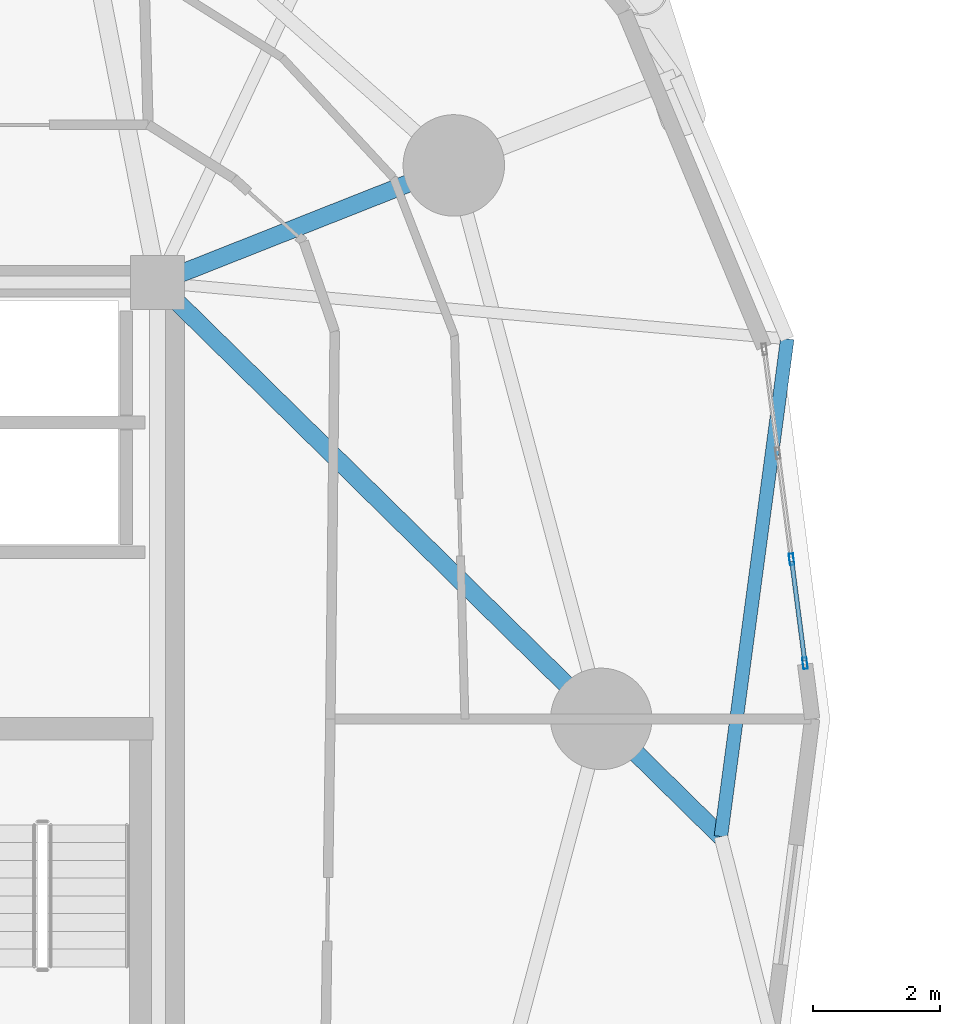
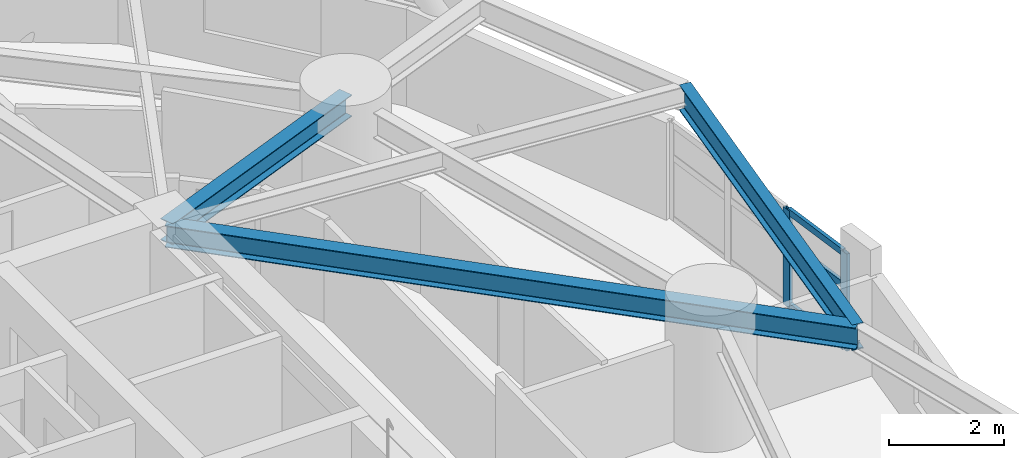
# One storey, part 2 of 18: 5 members, 3 beams, 1 element without a shape of its own.
"""IFC4 building model written with IfcOpenShell, lengths in metres."""

import ifcopenshell
import ifcopenshell.guid

model = None  # the IFC model being written
_history = None  # IfcOwnerHistory: only IFC2X3 demands one
_inside = {}  # id of a spatial element -> (the spatial element, [elements in it])
_under = {}  # id of a project, library or spatial element -> (it, [spatial elements below it])
_declared = {}  # id of a project -> (the project, [libraries it declares])
_typed = {}  # id of a type object -> (the type object, [elements of that type])
_made_of = {}  # id of a material, layer set ... -> (it, [elements and type objects made of it])


def new_model(schema):
    """Start an empty IFC model of exactly this schema.

    Asked for "IFC4X3", IfcOpenShell would pick the latest addendum, in which some entities
    have other attributes; the version numbers below select the first issue.
    IFC2X3 requires an IfcOwnerHistory on every rooted entity: one is made here for all.
    """
    global model, _history
    if schema == "IFC4X3":
        model = ifcopenshell.file(schema_version=(4, 3, 0, 0))
    else:
        model = ifcopenshell.file(schema=schema)
    _inside.clear()
    _under.clear()
    _declared.clear()
    _typed.clear()
    _made_of.clear()
    _history = None
    if model.schema == "IFC2X3":
        org = make("IfcOrganization", Name="unknown")
        user = make(
            "IfcPersonAndOrganization",
            ThePerson=make("IfcPerson", FamilyName="unknown"),
            TheOrganization=org,
        )
        app = make(
            "IfcApplication",
            ApplicationDeveloper=org,
            Version="unknown",
            ApplicationFullName="unknown",
            ApplicationIdentifier="unknown",
        )
        _history = make(
            "IfcOwnerHistory",
            OwningUser=user,
            OwningApplication=app,
            ChangeAction="ADDED",
            CreationDate=0,
        )
    return model


def make(cls, **values):
    """One entity of the class cls with the attributes given. An attribute that is None is left unset."""
    return model.create_entity(
        cls, **{name: value for name, value in values.items() if value is not None}
    )


def rooted(cls, **values):
    """An entity with a GlobalId (a new one), such as an element, a storey or a relation."""
    return make(cls, GlobalId=ifcopenshell.guid.new(), OwnerHistory=_history, **values)


def si_unit(unit_type, name, prefix=None):
    """IfcSIUnit, for example si_unit("LENGTHUNIT", "METRE", prefix="MILLI")."""
    return make("IfcSIUnit", UnitType=unit_type, Prefix=prefix, Name=name)


def assignment(units):
    """IfcUnitAssignment: the units of a project."""
    return None if units is None else make("IfcUnitAssignment", Units=units)


def point(xyz):
    """IfcCartesianPoint."""
    return None if xyz is None else make("IfcCartesianPoint", Coordinates=xyz)


def direction(xyz):
    """IfcDirection."""
    return None if xyz is None else make("IfcDirection", DirectionRatios=xyz)


def frame(location, z_axis=None, x_axis=None):
    """IfcAxis2Placement3D, a coordinate frame: its origin and axes. An axis left out is left unset."""
    return make(
        "IfcAxis2Placement3D",
        Location=point(location),
        Axis=direction(z_axis),
        RefDirection=direction(x_axis),
    )


def frame_2d(location, x_axis=None):
    """IfcAxis2Placement2D, a coordinate frame in the plane: its origin and x axis."""
    return make(
        "IfcAxis2Placement2D", Location=point(location), RefDirection=direction(x_axis)
    )


def origin():
    """The frame at (0, 0, 0) with its axes left unset."""
    return frame((0.0, 0.0, 0.0))


def origin_2d():
    """The frame at (0, 0) in the plane with its x axis left unset."""
    return frame_2d((0.0, 0.0))


def place(relative_to, where):
    """IfcLocalPlacement: puts the frame where relative to a parent placement (None: the world)."""
    return make(
        "IfcLocalPlacement", PlacementRelTo=relative_to, RelativePlacement=where
    )


def context(
    kind, dimensions, precision=None, world=None, true_north=None, identifier=None
):
    """IfcGeometricRepresentationContext, for example the 3D "Model" context."""
    return make(
        "IfcGeometricRepresentationContext",
        ContextIdentifier=identifier,
        ContextType=kind,
        CoordinateSpaceDimension=dimensions,
        Precision=precision,
        WorldCoordinateSystem=world,
        TrueNorth=true_north,
    )


def subcontext(parent, identifier, kind, view, scale=None):
    """IfcGeometricRepresentationSubContext, for example "Body" below "Model"."""
    return make(
        "IfcGeometricRepresentationSubContext",
        ContextIdentifier=identifier,
        ContextType=kind,
        ParentContext=parent,
        TargetScale=scale,
        TargetView=view,
    )


def project(units=None, contexts=None):
    """IfcProject with its units and contexts."""
    return rooted(
        "IfcProject",
        Name="project",
        RepresentationContexts=contexts,
        UnitsInContext=assignment(units),
    )


def spatial(cls, under=None, at=None, **own):
    """A site, building, storey or space (cls), placed at a placement, below another one or the project."""
    s = rooted(cls, ObjectPlacement=at, **own)
    if under is not None:
        _under.setdefault(under.id(), (under, []))[1].append(s)
    return s


def profile(cls, at=None, kind="AREA", **sizes):
    """A parametric profile (cls). Its sizes go by their IFC names, for example OverallWidth=200.0."""
    return make(cls, ProfileType=kind, Position=at, **sizes)


def hollow_rectangle(**sizes):
    """IfcRectangleHollowProfileDef."""
    return profile("IfcRectangleHollowProfileDef", **sizes)


def i_section(**sizes):
    """IfcIShapeProfileDef."""
    return profile("IfcIShapeProfileDef", **sizes)


def extrude(swept, where, along, depth):
    """IfcExtrudedAreaSolid: the profile swept, set in the frame where, extruded along a direction by depth."""
    return make(
        "IfcExtrudedAreaSolid",
        SweptArea=swept,
        Position=where,
        ExtrudedDirection=direction(along),
        Depth=depth,
    )


def shape(context_of_items, identifier, shape_type, items):
    """IfcShapeRepresentation: the items that make up one representation, for example the "Body"."""
    return make(
        "IfcShapeRepresentation",
        ContextOfItems=context_of_items,
        RepresentationIdentifier=identifier,
        RepresentationType=shape_type,
        Items=items,
    )


def material(Name=None, Category=None):
    """IfcMaterial."""
    return make("IfcMaterial", Name=Name, Category=Category)


def layer(
    of_material, thickness, ventilated=None, Name=None, Category=None, Priority=None
):
    """IfcMaterialLayer: one layer of a wall or slab, of a material (None: an air gap)."""
    return make(
        "IfcMaterialLayer",
        Material=of_material,
        LayerThickness=thickness,
        IsVentilated=ventilated,
        Name=Name,
        Category=Category,
        Priority=Priority,
    )


def layer_set(layers, Name=None):
    """IfcMaterialLayerSet."""
    return make("IfcMaterialLayerSet", MaterialLayers=layers, LayerSetName=Name)


def material_profile(
    of_material, cross_section, Name=None, Category=None, Priority=None
):
    """IfcMaterialProfile: a cross section and its material."""
    return make(
        "IfcMaterialProfile",
        Name=Name,
        Material=of_material,
        Profile=cross_section,
        Priority=Priority,
        Category=Category,
    )


def profile_set(profiles, Name=None, composite=None):
    """IfcMaterialProfileSet."""
    return make(
        "IfcMaterialProfileSet",
        Name=Name,
        MaterialProfiles=profiles,
        CompositeProfile=composite,
    )


def made_of(thing, what):
    """Note that an element or type object is made of a material, layer set ...; save() writes the relation."""
    if what is not None:
        _made_of.setdefault(what.id(), (what, []))[1].append(thing)
    return thing


def type_object(cls, material=None, **own):
    """A type object (cls), such as IfcWallType, which elements share."""
    return made_of(rooted(cls, **own), material)


def element(
    cls,
    number,
    at=None,
    inside=None,
    cuts=None,
    type_object=None,
    material=None,
    context=None,
    identifier="Body",
    shape_type=None,
    held_by="IfcProductDefinitionShape",
    body=None,
    shapes=None,
    **own,
):
    """One element of the class cls, such as IfcWall. Its Tag is "e" and its number.

    at: its placement. inside: the storey or other place that contains it. cuts: it is an
    opening in that element (IfcRelVoidsElement). A single representation is given by context,
    identifier, shape_type and body (its items); several are given by shapes. held_by: the class
    of the entity that holds the representations. save() writes the other relations.
    """
    e = rooted(cls, Tag="e%d" % number, ObjectPlacement=at, **own)
    if body is not None:
        shapes = [shape(context, identifier, shape_type, body)]
    if shapes is not None:
        e.Representation = make(held_by, Representations=shapes)
    if inside is not None:
        _inside.setdefault(inside.id(), (inside, []))[1].append(e)
    if cuts is not None:
        rooted(
            "IfcRelVoidsElement", RelatingBuildingElement=cuts, RelatedOpeningElement=e
        )
    if type_object is not None:
        _typed.setdefault(type_object.id(), (type_object, []))[1].append(e)
    return made_of(e, material)


def aggregate(whole, parts):
    """IfcRelAggregates: a whole, such as a stair, and the parts it consists of."""
    return rooted("IfcRelAggregates", RelatingObject=whole, RelatedObjects=parts)


def save(model, path):
    """Write the relations noted so far, then the file.

    IfcRelAggregates (storeys below a building ...), IfcRelContainedInSpatialStructure (elements
    in a storey), IfcRelDefinesByType, IfcRelAssociatesMaterial and IfcRelDeclares: one each for
    every whole, place, type object, material and project.
    """
    for whole, parts in _under.values():
        aggregate(whole, parts)
    for where, things in _inside.values():
        rooted(
            "IfcRelContainedInSpatialStructure",
            RelatedElements=things,
            RelatingStructure=where,
        )
    for kind, things in _typed.values():
        rooted("IfcRelDefinesByType", RelatedObjects=things, RelatingType=kind)
    for what, things in _made_of.values():
        rooted("IfcRelAssociatesMaterial", RelatedObjects=things, RelatingMaterial=what)
    for by, libraries in _declared.values():
        rooted("IfcRelDeclares", RelatingContext=by, RelatedDefinitions=libraries)
    model.write(path)


model = new_model("IFC4")

# Units and contexts
model_context = context("Model", 3, precision=1e-05, world=origin(), true_north=direction((0.0, 1.0)))
body_context = subcontext(model_context, "Body", "Model", "MODEL_VIEW")
ifc_project = project(units=[si_unit("LENGTHUNIT", "METRE"), si_unit("AREAUNIT", "SQUARE_METRE"), si_unit("VOLUMEUNIT", "CUBIC_METRE"), si_unit("PLANEANGLEUNIT", "RADIAN"), si_unit("MASSUNIT", "GRAM", prefix="KILO")], contexts=[model_context])

# Site, building, storey
site_placement = place(None, origin())
site = spatial("IfcSite", under=ifc_project, at=site_placement, CompositionType="ELEMENT")
building_placement = place(site_placement, origin())
building = spatial("IfcBuilding", under=site, at=building_placement, Name="Cununo Teusaquillo Station Towers", CompositionType="ELEMENT")
storey_placement = place(building_placement, frame((0.0, 0.0, 45.280029296875)))
storey = spatial("IfcBuildingStorey", under=building, at=storey_placement, Name="L13", CompositionType="ELEMENT", Elevation=45.280029296875)

# Beams
ifc_material_1 = material(Name="Steel ASTM A572 Grade 50", Category="steel")
ifc_material_profile_1 = material_profile(ifc_material_1, i_section(OverallWidth=0.280029296875, OverallDepth=0.462890625, WebThickness=0.0107421875, FlangeThickness=0.017333984375, FilletRadius=0.013916015625, at=origin_2d()), Name="W18X76")
ifc_profile_set_1 = profile_set([ifc_material_profile_1], Name="Steel ASTM A572 Grade 50")
beam_type_1 = type_object("IfcBeamType", Name="BM-RAD-G1", PredefinedType="BEAM", material=ifc_profile_set_1)
beam_1_placement = place(storey_placement, frame((21.675048828125, 31.3798828125, 2.41845703125), z_axis=(0.713048497084, -0.701114713015, 0.0), x_axis=(0.701114713015, 0.713048497084, 0.0)))
element("IfcBeam", 1, at=beam_1_placement, inside=storey, type_object=beam_type_1, Name="L13 Tower A Continuous Overhanging Radial Girder 01", PredefinedType="BEAM", context=body_context, shape_type="SweptSolid", body=[
    extrude(i_section(OverallWidth=0.280029296875, OverallDepth=0.462890625, WebThickness=0.0107421875, FlangeThickness=0.017333984375, FilletRadius=0.013916015625, at=origin_2d()), origin(), (0.0, 0.0, 1.0), 12.458984375),
])
beam_2_placement = place(storey_placement, frame((21.675048828125, 31.3798828125, 2.41845703125), z_axis=(0.929864104313, 0.367903176814, 0.0), x_axis=(-0.367903176814, 0.929864104313, 0.0)))
element("IfcBeam", 2, at=beam_2_placement, inside=storey, type_object=beam_type_1, Name="L13 Tower A Radial Girder 02A", PredefinedType="BEAM", context=body_context, shape_type="SweptSolid", body=[
    extrude(i_section(OverallWidth=0.280029296875, OverallDepth=0.462890625, WebThickness=0.0107421875, FlangeThickness=0.017333984375, FilletRadius=0.013916015625, at=origin_2d()), origin(), (0.0, 0.0, 1.0), 5.02490234375),
])
ifc_material_2 = material(Name="Steel ASTM A572 Grade 50", Category="steel")
ifc_material_profile_2 = material_profile(ifc_material_2, i_section(OverallWidth=0.214111328125, OverallDepth=0.549072265625, WebThickness=0.0146484375, FlangeThickness=0.023681640625, FilletRadius=0.014892578125, at=origin_2d()), Name="W21X93")
ifc_profile_set_2 = profile_set([ifc_material_profile_2], Name="Steel ASTM A572 Grade 50")
beam_type_2 = type_object("IfcBeamType", Name="BM-RING-Z1", PredefinedType="SPANDREL", material=ifc_profile_set_2)
beam_3_placement = place(storey_placement, frame((30.558837890625, 22.644775390625, 2.37548828125), z_axis=(0.132240482179, 0.991217662712, 0.0), x_axis=(-0.991217662712, 0.132240482179, 0.0)))
element("IfcBeam", 3, at=beam_3_placement, inside=storey, type_object=beam_type_2, Name="L13 Tower A Spandrel Ring Beam 01", PredefinedType="SPANDREL", context=body_context, shape_type="SweptSolid", body=[
    extrude(i_section(OverallWidth=0.214111328125, OverallDepth=0.549072265625, WebThickness=0.0146484375, FlangeThickness=0.023681640625, FilletRadius=0.014892578125, at=origin_2d()), origin(), (0.0, 0.0, 1.0), 7.91650390625),
])

# Curtain wall, members
ifc_material_3 = material(Name="Operable acoustic tinted low-E double glazing", Category="glass")
ifc_layer = layer(ifc_material_3, 0.179931640625)
ifc_layer_set = layer_set([ifc_layer], Name="Operable acoustic tinted low-E double glazing")
curtain_wall_type = type_object("IfcCurtainWallType", Name="CW-SYS-03", PredefinedType="USERDEFINED", material=ifc_layer_set)
curtain_wall_placement = place(storey_placement, origin())
curtain_wall = element("IfcCurtainWall", 4, at=curtain_wall_placement, inside=storey, type_object=curtain_wall_type, Name="L13 Tower A Facade Curtain Wall C00", ObjectType="OPERABLE GLAZING", PredefinedType="USERDEFINED")
ifc_material_4 = material(Name="Anodised dark bronze aluminium EN AW-6063-T6", Category="aluminium")
ifc_material_profile_3 = material_profile(ifc_material_4, hollow_rectangle(XDim=0.070068359375, YDim=0.179931640625, WallThickness=0.00390625, at=origin_2d()), Name="CW-MULL-70x180")
ifc_profile_set_3 = profile_set([ifc_material_profile_3], Name="Anodised dark bronze aluminium EN AW-6063-T6")
member_type_1 = type_object("IfcMemberType", Name="CWM-180", PredefinedType="MULLION", material=ifc_profile_set_3)
member_1_placement = place(storey_placement, frame((31.67333984375, 27.01611328125, 0.0), z_axis=(0.0, 0.0, 1.0), x_axis=(0.991730798481, 0.128335588771, 0.0)))
member_1 = element("IfcMember", 5, at=member_1_placement, type_object=member_type_1, Name="CW-03 mullion 3", PredefinedType="MULLION", context=body_context, shape_type="SweptSolid", body=[
    extrude(hollow_rectangle(XDim=0.070068359375, YDim=0.179931640625, WallThickness=0.00390625, at=origin_2d()), origin(), (0.0, 0.0, 1.0), 2.072998046875),
])
member_2_placement = place(storey_placement, frame((31.885498046875, 25.377685546875, 0.0), z_axis=(0.0, 0.0, 1.0), x_axis=(0.991730798481, 0.128335588771, 0.0)))
member_2 = element("IfcMember", 6, at=member_2_placement, type_object=member_type_1, Name="CW-03 mullion 4", PredefinedType="MULLION", context=body_context, shape_type="SweptSolid", body=[
    extrude(hollow_rectangle(XDim=0.070068359375, YDim=0.179931640625, WallThickness=0.00390625, at=origin_2d()), origin(), (0.0, 0.0, 1.0), 2.072998046875),
])
ifc_material_5 = material(Name="Anodised dark bronze aluminium EN AW-6063-T6", Category="aluminium")
ifc_material_profile_4 = material_profile(ifc_material_5, hollow_rectangle(XDim=0.070068359375, YDim=0.139892578125, WallThickness=0.00390625, at=origin_2d()), Name="CW-TRAN-70x140")
ifc_profile_set_4 = profile_set([ifc_material_profile_4], Name="Anodised dark bronze aluminium EN AW-6063-T6")
member_type_2 = type_object("IfcMemberType", Name="CWT-140", PredefinedType="USERDEFINED", material=ifc_profile_set_4)
member_3_placement = place(storey_placement, frame((31.677978515625, 26.981201171875, 0.034912109375), z_axis=(0.128250458302, -0.991741811131, 0.0), x_axis=(0.991741811131, 0.128250458302, 0.0)))
member_3 = element("IfcMember", 7, at=member_3_placement, type_object=member_type_2, Name="CW-03 transom 3.1", ObjectType="TRANSOM", PredefinedType="USERDEFINED", context=body_context, shape_type="SweptSolid", body=[
    extrude(hollow_rectangle(XDim=0.070068359375, YDim=0.139892578125, WallThickness=0.00390625, at=origin_2d()), origin(), (0.0, 0.0, 1.0), 1.58203125),
])
member_4_placement = place(storey_placement, frame((31.677978515625, 26.981201171875, 1.346923828125), z_axis=(0.128250458302, -0.991741811131, 0.0), x_axis=(0.991741811131, 0.128250458302, 0.0)))
member_4 = element("IfcMember", 8, at=member_4_placement, type_object=member_type_2, Name="CW-03 transom 3.2", ObjectType="TRANSOM", PredefinedType="USERDEFINED", context=body_context, shape_type="SweptSolid", body=[
    extrude(hollow_rectangle(XDim=0.070068359375, YDim=0.139892578125, WallThickness=0.00390625, at=origin_2d()), origin(), (0.0, 0.0, 1.0), 1.58203125),
])
member_5_placement = place(storey_placement, frame((31.677978515625, 26.981201171875, 2.0380859375), z_axis=(0.128250458302, -0.991741811131, 0.0), x_axis=(0.991741811131, 0.128250458302, 0.0)))
member_5 = element("IfcMember", 9, at=member_5_placement, type_object=member_type_2, Name="CW-03 transom 3.3", ObjectType="TRANSOM", PredefinedType="USERDEFINED", context=body_context, shape_type="SweptSolid", body=[
    extrude(hollow_rectangle(XDim=0.070068359375, YDim=0.139892578125, WallThickness=0.00390625, at=origin_2d()), origin(), (0.0, 0.0, 1.0), 1.58203125),
])
aggregate(curtain_wall, [member_1, member_2, member_3, member_4, member_5])

save(model, "model.ifc")
